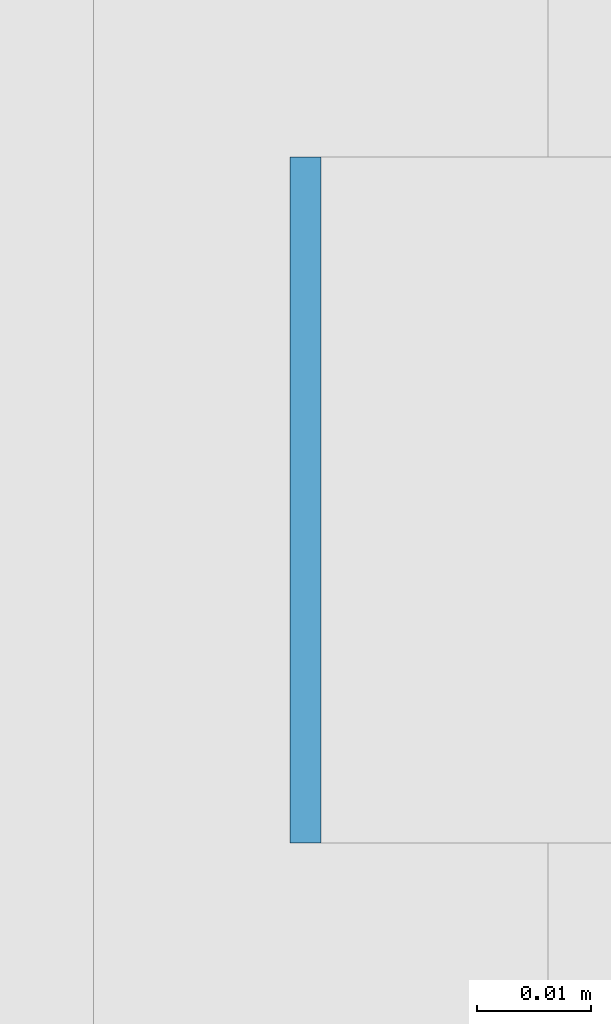
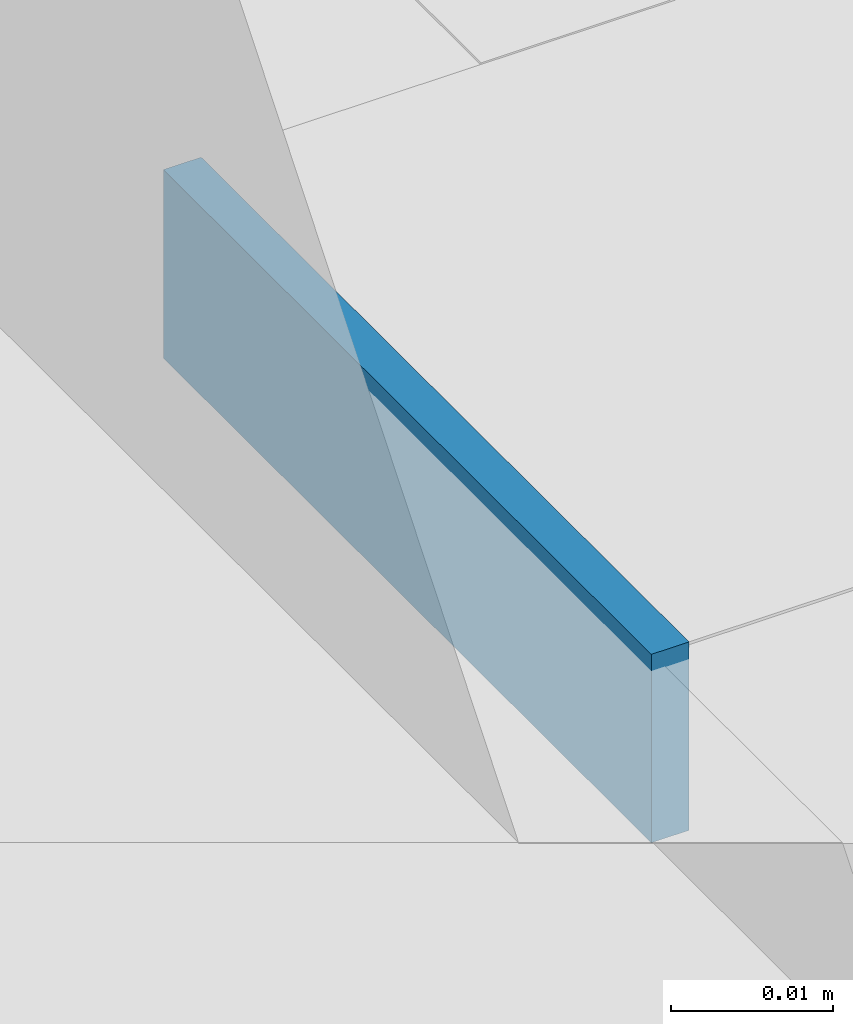
# One storey, part 565 of 646: 1 discrete accessory.
"""IFC4 building model written with IfcOpenShell, lengths in metres."""

import ifcopenshell
import ifcopenshell.guid

model = None  # the IFC model being written
_history = None  # IfcOwnerHistory: only IFC2X3 demands one
_inside = {}  # id of a spatial element -> (the spatial element, [elements in it])
_under = {}  # id of a project, library or spatial element -> (it, [spatial elements below it])
_declared = {}  # id of a project -> (the project, [libraries it declares])
_typed = {}  # id of a type object -> (the type object, [elements of that type])
_made_of = {}  # id of a material, layer set ... -> (it, [elements and type objects made of it])


def new_model(schema):
    """Start an empty IFC model of exactly this schema.

    Asked for "IFC4X3", IfcOpenShell would pick the latest addendum, in which some entities
    have other attributes; the version numbers below select the first issue.
    IFC2X3 requires an IfcOwnerHistory on every rooted entity: one is made here for all.
    """
    global model, _history
    if schema == "IFC4X3":
        model = ifcopenshell.file(schema_version=(4, 3, 0, 0))
    else:
        model = ifcopenshell.file(schema=schema)
    _inside.clear()
    _under.clear()
    _declared.clear()
    _typed.clear()
    _made_of.clear()
    _history = None
    if model.schema == "IFC2X3":
        org = make("IfcOrganization", Name="unknown")
        user = make(
            "IfcPersonAndOrganization",
            ThePerson=make("IfcPerson", FamilyName="unknown"),
            TheOrganization=org,
        )
        app = make(
            "IfcApplication",
            ApplicationDeveloper=org,
            Version="unknown",
            ApplicationFullName="unknown",
            ApplicationIdentifier="unknown",
        )
        _history = make(
            "IfcOwnerHistory",
            OwningUser=user,
            OwningApplication=app,
            ChangeAction="ADDED",
            CreationDate=0,
        )
    return model


def make(cls, **values):
    """One entity of the class cls with the attributes given. An attribute that is None is left unset."""
    return model.create_entity(
        cls, **{name: value for name, value in values.items() if value is not None}
    )


def rooted(cls, **values):
    """An entity with a GlobalId (a new one), such as an element, a storey or a relation."""
    return make(cls, GlobalId=ifcopenshell.guid.new(), OwnerHistory=_history, **values)


def si_unit(unit_type, name, prefix=None):
    """IfcSIUnit, for example si_unit("LENGTHUNIT", "METRE", prefix="MILLI")."""
    return make("IfcSIUnit", UnitType=unit_type, Prefix=prefix, Name=name)


def assignment(units):
    """IfcUnitAssignment: the units of a project."""
    return None if units is None else make("IfcUnitAssignment", Units=units)


def point(xyz):
    """IfcCartesianPoint."""
    return None if xyz is None else make("IfcCartesianPoint", Coordinates=xyz)


def direction(xyz):
    """IfcDirection."""
    return None if xyz is None else make("IfcDirection", DirectionRatios=xyz)


def frame(location, z_axis=None, x_axis=None):
    """IfcAxis2Placement3D, a coordinate frame: its origin and axes. An axis left out is left unset."""
    return make(
        "IfcAxis2Placement3D",
        Location=point(location),
        Axis=direction(z_axis),
        RefDirection=direction(x_axis),
    )


def frame_2d(location, x_axis=None):
    """IfcAxis2Placement2D, a coordinate frame in the plane: its origin and x axis."""
    return make(
        "IfcAxis2Placement2D", Location=point(location), RefDirection=direction(x_axis)
    )


def origin():
    """The frame at (0, 0, 0) with its axes left unset."""
    return frame((0.0, 0.0, 0.0))


def origin_2d():
    """The frame at (0, 0) in the plane with its x axis left unset."""
    return frame_2d((0.0, 0.0))


def place(relative_to, where):
    """IfcLocalPlacement: puts the frame where relative to a parent placement (None: the world)."""
    return make(
        "IfcLocalPlacement", PlacementRelTo=relative_to, RelativePlacement=where
    )


def context(
    kind, dimensions, precision=None, world=None, true_north=None, identifier=None
):
    """IfcGeometricRepresentationContext, for example the 3D "Model" context."""
    return make(
        "IfcGeometricRepresentationContext",
        ContextIdentifier=identifier,
        ContextType=kind,
        CoordinateSpaceDimension=dimensions,
        Precision=precision,
        WorldCoordinateSystem=world,
        TrueNorth=true_north,
    )


def subcontext(parent, identifier, kind, view, scale=None):
    """IfcGeometricRepresentationSubContext, for example "Body" below "Model"."""
    return make(
        "IfcGeometricRepresentationSubContext",
        ContextIdentifier=identifier,
        ContextType=kind,
        ParentContext=parent,
        TargetScale=scale,
        TargetView=view,
    )


def project(units=None, contexts=None):
    """IfcProject with its units and contexts."""
    return rooted(
        "IfcProject",
        Name="project",
        RepresentationContexts=contexts,
        UnitsInContext=assignment(units),
    )


def spatial(cls, under=None, at=None, **own):
    """A site, building, storey or space (cls), placed at a placement, below another one or the project."""
    s = rooted(cls, ObjectPlacement=at, **own)
    if under is not None:
        _under.setdefault(under.id(), (under, []))[1].append(s)
    return s


def profile(cls, at=None, kind="AREA", **sizes):
    """A parametric profile (cls). Its sizes go by their IFC names, for example OverallWidth=200.0."""
    return make(cls, ProfileType=kind, Position=at, **sizes)


def rectangle(**sizes):
    """IfcRectangleProfileDef."""
    return profile("IfcRectangleProfileDef", **sizes)


def extrude(swept, where, along, depth):
    """IfcExtrudedAreaSolid: the profile swept, set in the frame where, extruded along a direction by depth."""
    return make(
        "IfcExtrudedAreaSolid",
        SweptArea=swept,
        Position=where,
        ExtrudedDirection=direction(along),
        Depth=depth,
    )


def shape(context_of_items, identifier, shape_type, items):
    """IfcShapeRepresentation: the items that make up one representation, for example the "Body"."""
    return make(
        "IfcShapeRepresentation",
        ContextOfItems=context_of_items,
        RepresentationIdentifier=identifier,
        RepresentationType=shape_type,
        Items=items,
    )


def material(Name=None, Category=None):
    """IfcMaterial."""
    return make("IfcMaterial", Name=Name, Category=Category)


def made_of(thing, what):
    """Note that an element or type object is made of a material, layer set ...; save() writes the relation."""
    if what is not None:
        _made_of.setdefault(what.id(), (what, []))[1].append(thing)
    return thing


def type_object(cls, material=None, **own):
    """A type object (cls), such as IfcWallType, which elements share."""
    return made_of(rooted(cls, **own), material)


def element(
    cls,
    number,
    at=None,
    inside=None,
    cuts=None,
    type_object=None,
    material=None,
    context=None,
    identifier="Body",
    shape_type=None,
    held_by="IfcProductDefinitionShape",
    body=None,
    shapes=None,
    **own,
):
    """One element of the class cls, such as IfcWall. Its Tag is "e" and its number.

    at: its placement. inside: the storey or other place that contains it. cuts: it is an
    opening in that element (IfcRelVoidsElement). A single representation is given by context,
    identifier, shape_type and body (its items); several are given by shapes. held_by: the class
    of the entity that holds the representations. save() writes the other relations.
    """
    e = rooted(cls, Tag="e%d" % number, ObjectPlacement=at, **own)
    if body is not None:
        shapes = [shape(context, identifier, shape_type, body)]
    if shapes is not None:
        e.Representation = make(held_by, Representations=shapes)
    if inside is not None:
        _inside.setdefault(inside.id(), (inside, []))[1].append(e)
    if cuts is not None:
        rooted(
            "IfcRelVoidsElement", RelatingBuildingElement=cuts, RelatedOpeningElement=e
        )
    if type_object is not None:
        _typed.setdefault(type_object.id(), (type_object, []))[1].append(e)
    return made_of(e, material)


def aggregate(whole, parts):
    """IfcRelAggregates: a whole, such as a stair, and the parts it consists of."""
    return rooted("IfcRelAggregates", RelatingObject=whole, RelatedObjects=parts)


def save(model, path):
    """Write the relations noted so far, then the file.

    IfcRelAggregates (storeys below a building ...), IfcRelContainedInSpatialStructure (elements
    in a storey), IfcRelDefinesByType, IfcRelAssociatesMaterial and IfcRelDeclares: one each for
    every whole, place, type object, material and project.
    """
    for whole, parts in _under.values():
        aggregate(whole, parts)
    for where, things in _inside.values():
        rooted(
            "IfcRelContainedInSpatialStructure",
            RelatedElements=things,
            RelatingStructure=where,
        )
    for kind, things in _typed.values():
        rooted("IfcRelDefinesByType", RelatedObjects=things, RelatingType=kind)
    for what, things in _made_of.values():
        rooted("IfcRelAssociatesMaterial", RelatedObjects=things, RelatingMaterial=what)
    for by, libraries in _declared.values():
        rooted("IfcRelDeclares", RelatingContext=by, RelatedDefinitions=libraries)
    model.write(path)


model = new_model("IFC4")

# Units and contexts
model_context = context("Model", 3, precision=1e-05, world=origin(), true_north=direction((0.0, 1.0)))
body_context = subcontext(model_context, "Body", "Model", "MODEL_VIEW")
ifc_project = project(units=[si_unit("LENGTHUNIT", "METRE"), si_unit("AREAUNIT", "SQUARE_METRE"), si_unit("VOLUMEUNIT", "CUBIC_METRE"), si_unit("PLANEANGLEUNIT", "RADIAN"), si_unit("MASSUNIT", "GRAM", prefix="KILO")], contexts=[model_context])

# Site, building, storey
site_placement = place(None, origin())
site = spatial("IfcSite", under=ifc_project, at=site_placement, CompositionType="ELEMENT")
building_placement = place(site_placement, origin())
building = spatial("IfcBuilding", under=site, at=building_placement, Name="Silverbay Arena", CompositionType="ELEMENT")
storey_placement = place(building_placement, frame((0.0, 0.0, 33.5)))
storey = spatial("IfcBuildingStorey", under=building, at=storey_placement, Name="L05", CompositionType="ELEMENT", Elevation=33.5)

# Discrete accessory
ifc_material = material(Name="Steel S355", Category="steel")
discrete_accessory_type = type_object("IfcDiscreteAccessoryType", Name="Steel bracket plate", PredefinedType="BRACKET", material=ifc_material)
discrete_accessory_placement = place(storey_placement, frame((207.128662109375, 104.142822265625, 12.98583984375), z_axis=(0.0, 0.0, 1.0), x_axis=(1.0, 0.0, 0.0)))
element("IfcDiscreteAccessory", 1, at=discrete_accessory_placement, inside=storey, type_object=discrete_accessory_type, Name="Curtain wall packing plate", PredefinedType="BRACKET", context=body_context, shape_type="SweptSolid", body=[
    extrude(rectangle(XDim=0.002685546875, YDim=0.06005859375, at=origin_2d()), origin(), (0.0, 0.0, 1.0), 0.01416015625),
])

save(model, "model.ifc")
